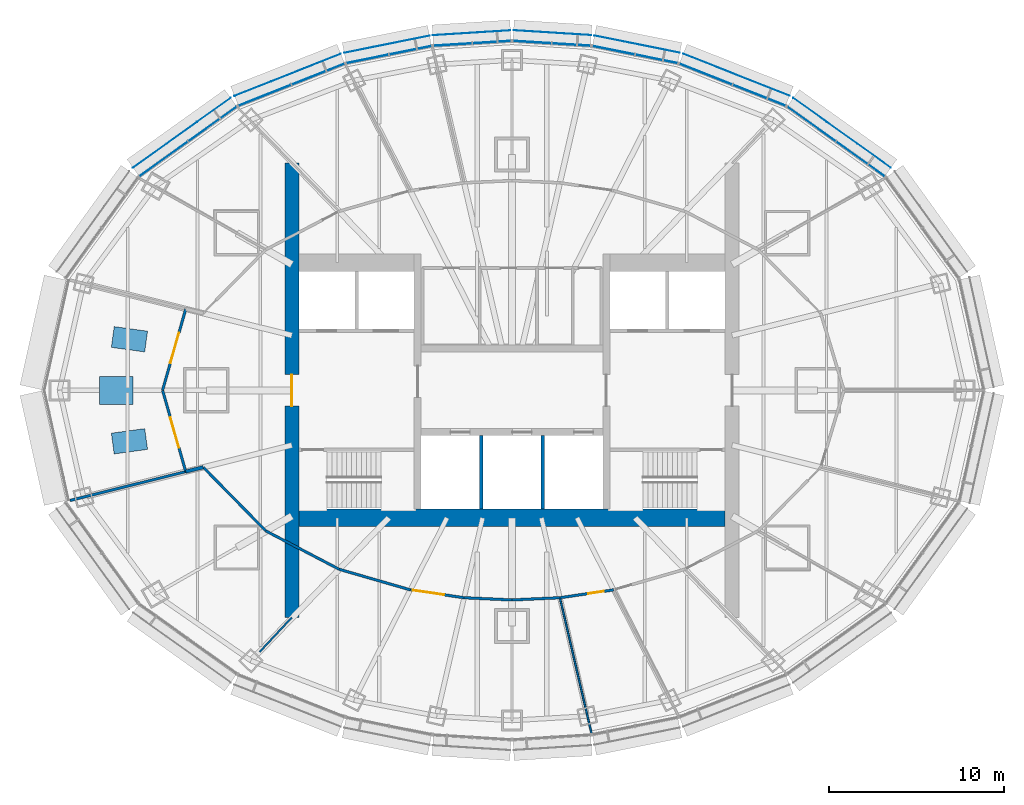
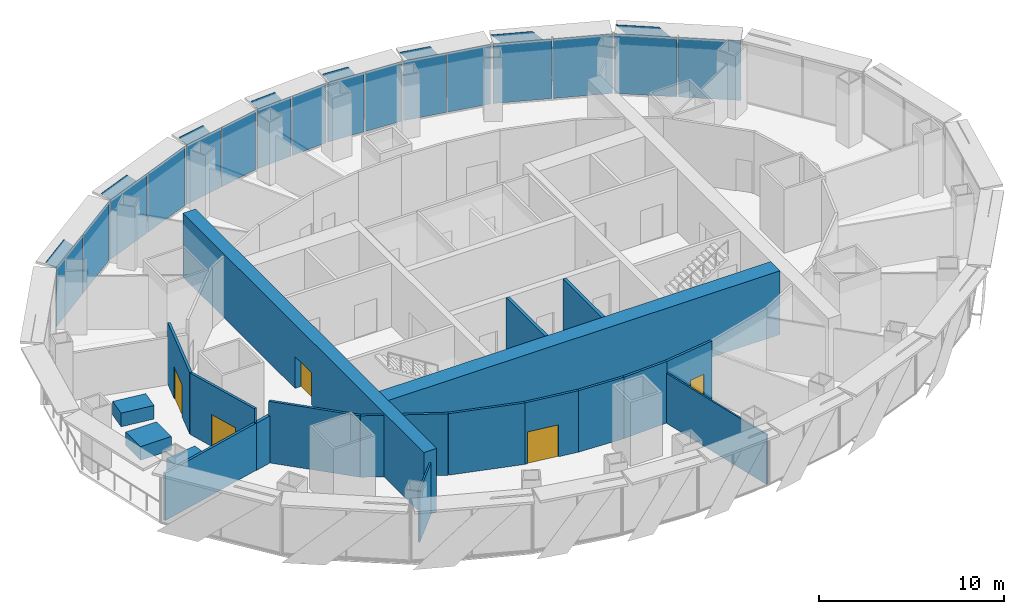
# One storey, part 11 of 16: 24 plates, 20 walls, 5 doors, 5 openings, 8 elements without a shape of their own.
"""IFC4 building model written with IfcOpenShell, lengths in metres."""

from ifc_helpers import new_model, si_unit, direction, frame, frame_2d, origin, origin_2d, place, context, subcontext, project, spatial, polyline, rectangle, outline, extrude, material, layer, layer_set, type_object, element, fill, aggregate, save


model = new_model("IFC4")

# Units and contexts
model_context = context("Model", 3, precision=1e-05, world=origin(), true_north=direction((0.0, 1.0)))
body_context = subcontext(model_context, "Body", "Model", "MODEL_VIEW")
ifc_project = project(units=[si_unit("LENGTHUNIT", "METRE"), si_unit("AREAUNIT", "SQUARE_METRE"), si_unit("VOLUMEUNIT", "CUBIC_METRE"), si_unit("PLANEANGLEUNIT", "RADIAN"), si_unit("MASSUNIT", "GRAM", prefix="KILO")], contexts=[model_context])

# Site, building, storey
site_placement = place(None, origin())
site = spatial("IfcSite", under=ifc_project, at=site_placement, CompositionType="ELEMENT")
building_placement = place(site_placement, origin())
building = spatial("IfcBuilding", under=site, at=building_placement, Name="Lantaw Convention Tower", CompositionType="ELEMENT")
storey_placement = place(building_placement, frame((0.0, 0.0, 232.60009765625)))
storey = spatial("IfcBuildingStorey", under=building, at=storey_placement, Name="L54", CompositionType="ELEMENT", Elevation=232.60009765625)

# Curtain wall, plates
ifc_material_1 = material(Name="Aluminium framed curtain wall", Category="aluminium")
curtain_wall_type = type_object("IfcCurtainWallType", Name="Office curtain wall high rise, pale aluminium", PredefinedType="USERDEFINED", material=ifc_material_1)
curtain_wall_1_placement = place(storey_placement, origin())
curtain_wall_1 = element("IfcCurtainWall", 1, at=curtain_wall_1_placement, inside=storey, type_object=curtain_wall_type, Name="Office curtain wall high rise, pale aluminium L54", ObjectType="UNITISED CURTAIN WALL", PredefinedType="USERDEFINED")
ifc_material_2 = material(Name="Clear insulating glass", Category="glass")
ifc_layer_1 = layer(ifc_material_2, 0.028076171875)
ifc_layer_set_1 = layer_set([ifc_layer_1], Name="CW-O2 panel 28")
plate_type_1 = type_object("IfcPlateType", Name="CW-O2 panel 28", PredefinedType="CURTAIN_PANEL", material=ifc_layer_set_1)
plate_1_placement = place(storey_placement, frame((19.947509765625, 13.23828125, 0.06494140625), z_axis=(0.0, 0.0, 1.0), x_axis=(-0.813672540482, 0.581323487281, 0.0)))
plate_1 = element("IfcPlate", 2, at=plate_1_placement, type_object=plate_type_1, Name="CW-O2 panel 1.1", PredefinedType="CURTAIN_PANEL", context=body_context, shape_type="SweptSolid", body=[
    extrude(rectangle(XDim=3.386474609375, YDim=0.028076171875, at=origin_2d()), origin(), (0.0, 0.0, 1.0), 3.919921875),
])
plate_2_placement = place(storey_placement, frame((17.13916015625, 15.24462890625, 0.06494140625), z_axis=(0.0, 0.0, 1.0), x_axis=(-0.813672540482, 0.581323487281, 0.0)))
plate_2 = element("IfcPlate", 3, at=plate_2_placement, type_object=plate_type_1, Name="CW-O2 panel 2.1", PredefinedType="CURTAIN_PANEL", context=body_context, shape_type="SweptSolid", body=[
    extrude(rectangle(XDim=3.386474609375, YDim=0.028076171875, at=origin_2d()), origin(), (0.0, 0.0, 1.0), 3.919921875),
])
aggregate(curtain_wall_1, [plate_1, plate_2])

curtain_wall_2_placement = place(storey_placement, origin())
curtain_wall_2 = element("IfcCurtainWall", 4, at=curtain_wall_2_placement, inside=storey, type_object=curtain_wall_type, Name="Office curtain wall high rise, pale aluminium L54", ObjectType="UNITISED CURTAIN WALL", PredefinedType="USERDEFINED")
plate_3_placement = place(storey_placement, frame((14.14990234375, 16.8837890625, 0.06494140625), z_axis=(0.0, 0.0, 1.0), x_axis=(-0.929761533743, 0.368162315252, 0.0)))
plate_3 = element("IfcPlate", 5, at=plate_3_placement, type_object=plate_type_1, Name="CW-O2 panel 1.1", PredefinedType="CURTAIN_PANEL", context=body_context, shape_type="SweptSolid", body=[
    extrude(rectangle(XDim=3.222900390625, YDim=0.028076171875, at=origin_2d()), origin(), (0.0, 0.0, 1.0), 3.919921875),
])
plate_4_placement = place(storey_placement, frame((11.0927734375, 18.094482421875, 0.06494140625), z_axis=(0.0, 0.0, 1.0), x_axis=(-0.929761533743, 0.368162315252, 0.0)))
plate_4 = element("IfcPlate", 6, at=plate_4_placement, type_object=plate_type_1, Name="CW-O2 panel 2.1", PredefinedType="CURTAIN_PANEL", context=body_context, shape_type="SweptSolid", body=[
    extrude(rectangle(XDim=3.222900390625, YDim=0.028076171875, at=origin_2d()), origin(), (0.0, 0.0, 1.0), 3.919921875),
])
aggregate(curtain_wall_2, [plate_3, plate_4])

curtain_wall_3_placement = place(storey_placement, origin())
curtain_wall_3 = element("IfcCurtainWall", 7, at=curtain_wall_3_placement, inside=storey, type_object=curtain_wall_type, Name="Office curtain wall high rise, pale aluminium L54", ObjectType="UNITISED CURTAIN WALL", PredefinedType="USERDEFINED")
plate_5_placement = place(storey_placement, frame((8.2724609375, 18.96533203125, 0.06494140625), z_axis=(0.0, 0.0, 1.0), x_axis=(-0.980366679695, 0.197183095987, 0.0)))
plate_5 = element("IfcPlate", 8, at=plate_5_placement, type_object=plate_type_1, Name="CW-O2 panel 1.1", PredefinedType="CURTAIN_PANEL", context=body_context, shape_type="SweptSolid", body=[
    extrude(rectangle(XDim=2.44384765625, YDim=0.028076171875, at=origin_2d()), origin(), (0.0, 0.0, 1.0), 3.919921875),
])
plate_6_placement = place(storey_placement, frame((5.81298828125, 19.4599609375, 0.06494140625), z_axis=(0.0, 0.0, 1.0), x_axis=(-0.980366679695, 0.197183095987, 0.0)))
plate_6 = element("IfcPlate", 9, at=plate_6_placement, type_object=plate_type_1, Name="CW-O2 panel 2.1", PredefinedType="CURTAIN_PANEL", context=body_context, shape_type="SweptSolid", body=[
    extrude(rectangle(XDim=2.44384765625, YDim=0.028076171875, at=origin_2d()), origin(), (0.0, 0.0, 1.0), 3.919921875),
])
aggregate(curtain_wall_3, [plate_5, plate_6])

curtain_wall_4_placement = place(storey_placement, origin())
curtain_wall_4 = element("IfcCurtainWall", 10, at=curtain_wall_4_placement, inside=storey, type_object=curtain_wall_type, Name="Office curtain wall high rise, pale aluminium L54", ObjectType="UNITISED CURTAIN WALL", PredefinedType="USERDEFINED")
plate_7_placement = place(storey_placement, frame((3.397216796875, 19.786376953125, 0.06494140625), z_axis=(0.0, 0.0, 1.0), x_axis=(-0.998028774865, 0.062757983884, 0.0)))
plate_7 = element("IfcPlate", 11, at=plate_7_placement, type_object=plate_type_1, Name="CW-O2 panel 1.1", PredefinedType="CURTAIN_PANEL", context=body_context, shape_type="SweptSolid", body=[
    extrude(rectangle(XDim=2.1826171875, YDim=0.028076171875, at=origin_2d()), origin(), (0.0, 0.0, 1.0), 3.919921875),
])
plate_8_placement = place(storey_placement, frame((1.154052734375, 19.927490234375, 0.06494140625), z_axis=(0.0, 0.0, 1.0), x_axis=(-0.998028774865, 0.062757983884, 0.0)))
plate_8 = element("IfcPlate", 12, at=plate_8_placement, type_object=plate_type_1, Name="CW-O2 panel 2.1", PredefinedType="CURTAIN_PANEL", context=body_context, shape_type="SweptSolid", body=[
    extrude(rectangle(XDim=2.1826171875, YDim=0.028076171875, at=origin_2d()), origin(), (0.0, 0.0, 1.0), 3.919921875),
])
aggregate(curtain_wall_4, [plate_7, plate_8])

curtain_wall_5_placement = place(storey_placement, origin())
curtain_wall_5 = element("IfcCurtainWall", 13, at=curtain_wall_5_placement, inside=storey, type_object=curtain_wall_type, Name="Office curtain wall high rise, pale aluminium L54", ObjectType="UNITISED CURTAIN WALL", PredefinedType="USERDEFINED")
plate_9_placement = place(storey_placement, frame((-1.154052734375, 19.927490234375, 0.06494140625), z_axis=(0.0, 0.0, 1.0), x_axis=(-0.998028774865, -0.062757983884, 0.0)))
plate_9 = element("IfcPlate", 14, at=plate_9_placement, type_object=plate_type_1, Name="CW-O2 panel 1.1", PredefinedType="CURTAIN_PANEL", context=body_context, shape_type="SweptSolid", body=[
    extrude(rectangle(XDim=2.1826171875, YDim=0.028076171875, at=origin_2d()), origin(), (0.0, 0.0, 1.0), 3.919921875),
])
plate_10_placement = place(storey_placement, frame((-3.397216796875, 19.786376953125, 0.06494140625), z_axis=(0.0, 0.0, 1.0), x_axis=(-0.998028774865, -0.062757983884, 0.0)))
plate_10 = element("IfcPlate", 15, at=plate_10_placement, type_object=plate_type_1, Name="CW-O2 panel 2.1", PredefinedType="CURTAIN_PANEL", context=body_context, shape_type="SweptSolid", body=[
    extrude(rectangle(XDim=2.1826171875, YDim=0.028076171875, at=origin_2d()), origin(), (0.0, 0.0, 1.0), 3.919921875),
])
aggregate(curtain_wall_5, [plate_9, plate_10])

curtain_wall_6_placement = place(storey_placement, origin())
curtain_wall_6 = element("IfcCurtainWall", 16, at=curtain_wall_6_placement, inside=storey, type_object=curtain_wall_type, Name="Office curtain wall high rise, pale aluminium L54", ObjectType="UNITISED CURTAIN WALL", PredefinedType="USERDEFINED")
plate_11_placement = place(storey_placement, frame((-5.81298828125, 19.4599609375, 0.06494140625), z_axis=(0.0, 0.0, 1.0), x_axis=(-0.980366679695, -0.197183095987, 0.0)))
plate_11 = element("IfcPlate", 17, at=plate_11_placement, type_object=plate_type_1, Name="CW-O2 panel 1.1", PredefinedType="CURTAIN_PANEL", context=body_context, shape_type="SweptSolid", body=[
    extrude(rectangle(XDim=2.44384765625, YDim=0.028076171875, at=origin_2d()), origin(), (0.0, 0.0, 1.0), 3.919921875),
])
plate_12_placement = place(storey_placement, frame((-8.2724609375, 18.96533203125, 0.06494140625), z_axis=(0.0, 0.0, 1.0), x_axis=(-0.980366679695, -0.197183095987, 0.0)))
plate_12 = element("IfcPlate", 18, at=plate_12_placement, type_object=plate_type_1, Name="CW-O2 panel 2.1", PredefinedType="CURTAIN_PANEL", context=body_context, shape_type="SweptSolid", body=[
    extrude(rectangle(XDim=2.44384765625, YDim=0.028076171875, at=origin_2d()), origin(), (0.0, 0.0, 1.0), 3.919921875),
])
aggregate(curtain_wall_6, [plate_11, plate_12])

curtain_wall_7_placement = place(storey_placement, origin())
curtain_wall_7 = element("IfcCurtainWall", 19, at=curtain_wall_7_placement, inside=storey, type_object=curtain_wall_type, Name="Office curtain wall high rise, pale aluminium L54", ObjectType="UNITISED CURTAIN WALL", PredefinedType="USERDEFINED")
plate_13_placement = place(storey_placement, frame((-11.0927734375, 18.094482421875, 0.06494140625), z_axis=(0.0, 0.0, 1.0), x_axis=(-0.929761533743, -0.368162315252, 0.0)))
plate_13 = element("IfcPlate", 20, at=plate_13_placement, type_object=plate_type_1, Name="CW-O2 panel 1.1", PredefinedType="CURTAIN_PANEL", context=body_context, shape_type="SweptSolid", body=[
    extrude(rectangle(XDim=3.222900390625, YDim=0.028076171875, at=origin_2d()), origin(), (0.0, 0.0, 1.0), 3.919921875),
])
plate_14_placement = place(storey_placement, frame((-14.14990234375, 16.8837890625, 0.06494140625), z_axis=(0.0, 0.0, 1.0), x_axis=(-0.929761533743, -0.368162315252, 0.0)))
plate_14 = element("IfcPlate", 21, at=plate_14_placement, type_object=plate_type_1, Name="CW-O2 panel 2.1", PredefinedType="CURTAIN_PANEL", context=body_context, shape_type="SweptSolid", body=[
    extrude(rectangle(XDim=3.222900390625, YDim=0.028076171875, at=origin_2d()), origin(), (0.0, 0.0, 1.0), 3.919921875),
])
aggregate(curtain_wall_7, [plate_13, plate_14])

curtain_wall_8_placement = place(storey_placement, origin())
curtain_wall_8 = element("IfcCurtainWall", 22, at=curtain_wall_8_placement, inside=storey, type_object=curtain_wall_type, Name="Office curtain wall high rise, pale aluminium L54", ObjectType="UNITISED CURTAIN WALL", PredefinedType="USERDEFINED")
plate_15_placement = place(storey_placement, frame((-17.13916015625, 15.24462890625, 0.06494140625), z_axis=(0.0, 0.0, 1.0), x_axis=(-0.813672540482, -0.581323487281, 0.0)))
plate_15 = element("IfcPlate", 23, at=plate_15_placement, type_object=plate_type_1, Name="CW-O2 panel 1.1", PredefinedType="CURTAIN_PANEL", context=body_context, shape_type="SweptSolid", body=[
    extrude(rectangle(XDim=3.386474609375, YDim=0.028076171875, at=origin_2d()), origin(), (0.0, 0.0, 1.0), 3.919921875),
])
plate_16_placement = place(storey_placement, frame((-19.947509765625, 13.23828125, 0.06494140625), z_axis=(0.0, 0.0, 1.0), x_axis=(-0.813672540482, -0.581323487281, 0.0)))
plate_16 = element("IfcPlate", 24, at=plate_16_placement, type_object=plate_type_1, Name="CW-O2 panel 2.1", PredefinedType="CURTAIN_PANEL", context=body_context, shape_type="SweptSolid", body=[
    extrude(rectangle(XDim=3.386474609375, YDim=0.028076171875, at=origin_2d()), origin(), (0.0, 0.0, 1.0), 3.919921875),
])
aggregate(curtain_wall_8, [plate_15, plate_16])

# Plates
ifc_material_3 = material(Name="Perforated aluminium sheet, pale silver finish", Category="aluminium")
ifc_layer_2 = layer(ifc_material_3, 0.006103515625)
ifc_layer_set_2 = layer_set([ifc_layer_2], Name="Perforated aluminium solar SCREEN panel")
plate_type_2 = type_object("IfcPlateType", Name="Perforated aluminium solar SCREEN panel", PredefinedType="SHEET", material=ifc_layer_set_2)
plate_17_placement = place(storey_placement, frame((21.689697265625, 12.73828125, -0.175048828125), z_axis=(0.581330799771, 0.813667316006, 1.0072981e-05), x_axis=(-0.813667316047, 0.5813307998, 3.02e-10)))
element("IfcPlate", 25, at=plate_17_placement, inside=storey, type_object=plate_type_2, Name="Solar SCREEN panel", PredefinedType="SHEET", context=body_context, shape_type="SweptSolid", body=[
    extrude(outline(polyline([(0.0, 0.0), (2.36914164286685, -1.6940658945086007e-21), (6.867806096558412, 4.339843748148034), (4.498863102938643, 4.3398437495775966), (0.0, 0.0)])), origin(), (0.0, 0.0, -1.0), 0.006103515625),
])
plate_18_placement = place(storey_placement, frame((15.88525390625, 16.8486328125, -0.175048828125), z_axis=(-0.368116612072, -0.929779629081, 3.5535267e-05), x_axis=(-0.929779629668, 0.368116612304, -1.786e-09)))
element("IfcPlate", 26, at=plate_18_placement, inside=storey, type_object=plate_type_2, Name="Solar SCREEN panel", PredefinedType="SHEET", context=body_context, shape_type="SweptSolid", body=[
    extrude(outline(polyline([(0.0, 0.0), (2.2578720663572183, -6.776263578034403e-21), (6.540904465438181, -4.339843764423989), (4.282942526861161, -4.33984375635743), (0.0, 0.0)])), origin(), (0.0, 0.0, -1.0), 0.006103515625),
])
plate_19_placement = place(storey_placement, frame((9.6044921875, 19.315673828125, -0.175048828125), z_axis=(-0.197162069853, -0.980370908428, 1.0904697e-05), x_axis=(-0.980370908486, 0.197162069865, -7.55e-10)))
element("IfcPlate", 27, at=plate_19_placement, inside=storey, type_object=plate_type_2, Name="Solar SCREEN panel", PredefinedType="SHEET", context=body_context, shape_type="SweptSolid", body=[
    extrude(outline(polyline([(0.0, 0.0), (1.7279870169553606, 0.0), (4.982578440602753, -4.339843754020975), (3.2545432883764285, -4.339843751410917), (0.0, 0.0)])), origin(), (0.0, 0.0, -1.0), 0.006103515625),
])
plate_20_placement = place(storey_placement, frame((4.539306640625, 20.32177734375, -0.175048828125), z_axis=(-0.062672387577, -0.998034151922, 5.8589976e-05), x_axis=(-0.998034153635, 0.062672387685, 0.0)))
element("IfcPlate", 28, at=plate_20_placement, inside=storey, type_object=plate_type_2, Name="Solar SCREEN panel", PredefinedType="SHEET", context=body_context, shape_type="SweptSolid", body=[
    extrude(outline(polyline([(0.0, 0.0), (1.5504111513762302, 8.470329472543003e-22), (4.460200019412434, -4.339843757448876), (2.9097888680362036, -4.339843757448876), (0.0, 0.0)])), origin(), (0.0, 0.0, -1.0), 0.006103515625),
])
plate_21_placement = place(storey_placement, frame((-0.087890625, 20.6015625, -0.175048828125), z_axis=(-0.062672387577, 0.998034151922, 5.8589976e-05), x_axis=(-0.998034153635, -0.062672387685, 0.0)))
element("IfcPlate", 29, at=plate_21_placement, inside=storey, type_object=plate_type_2, Name="Solar SCREEN panel", PredefinedType="SHEET", context=body_context, shape_type="SweptSolid", body=[
    extrude(outline(polyline([(0.0, 0.0), (1.5504111513762302, -8.470329472543003e-22), (4.460200019412434, 4.339843757448876), (2.9097888680362036, 4.339843757448876), (0.0, 0.0)])), origin(), (0.0, 0.0, -1.0), 0.006103515625),
])
plate_22_placement = place(storey_placement, frame((-4.7197265625, 20.298095703125, -0.175048828125), z_axis=(-0.197162069853, 0.980370908428, 1.0904697e-05), x_axis=(-0.980370908486, -0.197162069865, 7.55e-10)))
element("IfcPlate", 30, at=plate_22_placement, inside=storey, type_object=plate_type_2, Name="Solar SCREEN panel", PredefinedType="SHEET", context=body_context, shape_type="SweptSolid", body=[
    extrude(outline(polyline([(0.0, 0.0), (1.7280351522263238, 0.0), (4.982578447157737, 4.339843746495192), (3.2545914302023755, 4.339843749105177), (0.0, 0.0)])), origin(), (0.0, 0.0, -1.0), 0.006103515625),
])
plate_23_placement = place(storey_placement, frame((-9.8037109375, 19.256591796875, -0.175048828125), z_axis=(-0.368116612072, 0.929779629081, 3.5535267e-05), x_axis=(-0.929779629668, -0.368116612304, 1.786e-09)))
element("IfcPlate", 31, at=plate_23_placement, inside=storey, type_object=plate_type_2, Name="Solar SCREEN panel", PredefinedType="SHEET", context=body_context, shape_type="SweptSolid", body=[
    extrude(outline(polyline([(0.0, 0.0), (2.257961938577019, 6.776263578034403e-21), (6.540904480942253, 4.339843741056637), (4.283032414585034, 4.339843749122875), (0.0, 0.0)])), origin(), (0.0, 0.0, -1.0), 0.006103515625),
])
plate_24_placement = place(storey_placement, frame((-16.1015625, 16.730712890625, -0.175048828125), z_axis=(0.581330799771, -0.813667316006, 1.0072981e-05), x_axis=(-0.813667316047, -0.5813307998, -3.02e-10)))
element("IfcPlate", 32, at=plate_24_placement, inside=storey, type_object=plate_type_2, Name="Solar SCREEN panel", PredefinedType="SHEET", context=body_context, shape_type="SweptSolid", body=[
    extrude(outline(polyline([(0.0, 0.0), (2.3689429936197683, -1.6940658945086007e-21), (6.867806093939489, -4.339843752292481), (4.498664451072639, -4.339843750862799), (0.0, 0.0)])), origin(), (0.0, 0.0, -1.0), 0.006103515625),
])

# Wall
ifc_material_4 = material(Name="Concrete C60/75", Category="concrete")
ifc_layer_3 = layer(ifc_material_4, 1.0)
ifc_layer_set_3 = layer_set([ifc_layer_3], Name="Core wall 1000")
wall_type_1 = type_object("IfcWallType", Name="Core wall 1000", PredefinedType="SHEAR", material=ifc_layer_set_3)
wall_1_placement = place(storey_placement, frame((-12.199951171875, -7.300048828125, 0.0), z_axis=(0.0, 0.0, 1.0), x_axis=(1.0, 0.0, 0.0)))
element("IfcWall", 33, at=wall_1_placement, inside=storey, type_object=wall_type_1, Name="Core wall S", PredefinedType="SHEAR", context=body_context, shape_type="SweptSolid", body=[
    extrude(rectangle(XDim=24.39990234375, YDim=1.0, at=frame_2d((12.199951171875, 0.0))), origin(), (0.0, 0.0, 1.0), 4.199951171875),
])

# Wall, opening, door
ifc_layer_4 = layer(ifc_material_4, 0.800048828125)
ifc_layer_set_4 = layer_set([ifc_layer_4], Name="Core wall 800")
wall_type_2 = type_object("IfcWallType", Name="Core wall 800", PredefinedType="SHEAR", material=ifc_layer_set_4)
wall_2_placement = place(storey_placement, frame((-12.60009765625, 13.0, 0.0), z_axis=(0.0, 0.0, 1.0), x_axis=(0.0, -1.0, 0.0)))
wall_2 = element("IfcWall", 34, at=wall_2_placement, inside=storey, type_object=wall_type_2, Name="Core wall W", PredefinedType="SHEAR", context=body_context, shape_type="SweptSolid", body=[
    extrude(rectangle(XDim=26.0, YDim=0.800048828125, at=frame_2d((13.0, 0.0))), origin(), (0.0, 0.0, 1.0), 4.199951171875),
])
opening_1_placement = place(wall_2_placement, frame((12.10009765625, 0.0, 0.0)))
opening_1 = element("IfcOpeningElement", 35, at=opening_1_placement, cuts=wall_2, Name="Opening L54.06", PredefinedType="OPENING", context=body_context, shape_type="SweptSolid", body=[
    extrude(rectangle(XDim=1.800048828125, YDim=2.10009765625, at=frame_2d((0.89990234375, 1.050048828125))), frame((0.0, 0.409912109375, 0.0), z_axis=(0.0, -1.0, 0.0), x_axis=(1.0, 0.0, 0.0)), (0.0, 0.0, 1.0), 0.820068359375),
])
ifc_material_5 = material(Name="Steel, fire rated", Category="steel")
door_type_1 = type_object("IfcDoorType", Name="Lobby double door FD90", OperationType="DOUBLE_DOOR_DOUBLE_SWING", PredefinedType="DOOR", material=ifc_material_5)
door_1_placement = place(opening_1_placement, origin())
door_1 = element("IfcDoor", 36, at=door_1_placement, inside=storey, type_object=door_type_1, Name="Firefighting lobby door", OperationType="DOUBLE_DOOR_DOUBLE_SWING", OverallHeight=2.10009765625, OverallWidth=1.800048828125, PredefinedType="DOOR", context=body_context, shape_type="SweptSolid", body=[
    extrude(rectangle(XDim=1.800048828125, YDim=2.10009765625, at=frame_2d((0.89990234375, 1.050048828125))), frame((0.0, 0.02490234375, 0.0), z_axis=(0.0, -1.0, 0.0), x_axis=(1.0, 0.0, 0.0)), (0.0, 0.0, 1.0), 0.050048828125),
])
fill(opening_1, door_1)

# Walls
ifc_material_6 = material(Name="Gypsum board on steel studs, fire rated", Category="steel")
ifc_layer_5 = layer(ifc_material_6, 0.14990234375)
ifc_layer_set_5 = layer_set([ifc_layer_5], Name="Corridor wall 150 EI 60")
wall_type_3 = type_object("IfcWallType", Name="Corridor wall 150 EI 60", PredefinedType="PARTITIONING", material=ifc_layer_set_5)
wall_3_placement = place(storey_placement, frame((-17.6728515625, -4.40625, 0.0), z_axis=(0.0, 0.0, 1.0), x_axis=(0.701111216625, -0.713051934941, 0.0)))
element("IfcWall", 37, at=wall_3_placement, inside=storey, type_object=wall_type_3, Name="Corridor wall 150", PredefinedType="PARTITIONING", context=body_context, shape_type="SweptSolid", body=[
    extrude(rectangle(XDim=5.111572265625, YDim=0.14990234375, at=frame_2d((2.5556640625, 0.0))), origin(), (0.0, 0.0, 1.0), 4.0498046875),
])
wall_4_placement = place(storey_placement, frame((-14.089111328125, -8.051025390625, 0.0), z_axis=(0.0, 0.0, 1.0), x_axis=(0.886174439647, -0.463351769735, 0.0)))
element("IfcWall", 38, at=wall_4_placement, inside=storey, type_object=wall_type_3, Name="Corridor wall 150", PredefinedType="PARTITIONING", context=body_context, shape_type="SweptSolid", body=[
    extrude(rectangle(XDim=4.734619140625, YDim=0.14990234375, at=frame_2d((2.3671875, 0.0))), origin(), (0.0, 0.0, 1.0), 4.0498046875),
])
wall_5_placement = place(storey_placement, frame((-9.893310546875, -10.244873046875, 0.0), z_axis=(0.0, 0.0, 1.0), x_axis=(0.960614838378, -0.27788330696, 0.0)))
element("IfcWall", 39, at=wall_5_placement, inside=storey, type_object=wall_type_3, Name="Corridor wall 150", PredefinedType="PARTITIONING", context=body_context, shape_type="SweptSolid", body=[
    extrude(rectangle(XDim=4.239990234375, YDim=0.14990234375, at=frame_2d((2.1201171875, 0.0))), origin(), (0.0, 0.0, 1.0), 4.0498046875),
])

# Wall, opening, door
wall_6_placement = place(storey_placement, frame((-5.8203125, -11.423095703125, 0.0), z_axis=(0.0, 0.0, 1.0), x_axis=(0.989421822189, -0.145067080265, 0.0)))
wall_6 = element("IfcWall", 40, at=wall_6_placement, inside=storey, type_object=wall_type_3, Name="Corridor wall 150", PredefinedType="PARTITIONING", context=body_context, shape_type="SweptSolid", body=[
    extrude(rectangle(XDim=3.11181640625, YDim=0.14990234375, at=frame_2d((1.555908203125, 0.0))), origin(), (0.0, 0.0, 1.0), 4.0498046875),
])
opening_2_placement = place(wall_6_placement, frame((0.14990234375, 0.0, 0.0)))
opening_2 = element("IfcOpeningElement", 41, at=opening_2_placement, cuts=wall_6, Name="Opening L54.18", PredefinedType="OPENING", context=body_context, shape_type="SweptSolid", body=[
    extrude(rectangle(XDim=1.800048828125, YDim=2.10009765625, at=frame_2d((0.89990234375, 1.050048828125))), frame((0.0, 0.0849609375, 0.0), z_axis=(0.0, -1.0, 0.0), x_axis=(1.0, 0.0, 0.0)), (0.0, 0.0, 1.0), 0.169921875),
])
door_type_2 = type_object("IfcDoorType", Name="Office double door 1800 FD30", OperationType="DOUBLE_DOOR_DOUBLE_SWING", PredefinedType="DOOR", material=ifc_material_5)
door_2_placement = place(opening_2_placement, origin())
door_2 = element("IfcDoor", 42, at=door_2_placement, inside=storey, type_object=door_type_2, Name="Garden studio door", OperationType="DOUBLE_DOOR_DOUBLE_SWING", OverallHeight=2.10009765625, OverallWidth=1.800048828125, PredefinedType="DOOR", context=body_context, shape_type="SweptSolid", body=[
    extrude(rectangle(XDim=1.800048828125, YDim=2.10009765625, at=frame_2d((0.89990234375, 1.050048828125))), frame((0.0, 0.02490234375, 0.0), z_axis=(0.0, -1.0, 0.0), x_axis=(1.0, 0.0, 0.0)), (0.0, 0.0, 1.0), 0.050048828125),
])
fill(opening_2, door_2)

# Walls
for number, where, z_axis, x_axis, name in (
    (43, (-2.741455078125, -11.87451171875, 0.0), (0.0, 0.0, 1.0), (0.998953998629, -0.045726454297, 0.0), "Corridor wall 150"),
    (44, (0.0, -12.0, 0.0), (0.0, 0.0, 1.0), (0.998953998629, 0.045726454297, 0.0), "Corridor wall 150"),
):
    element("IfcWall", number, at=place(storey_placement, frame(where, z_axis=z_axis, x_axis=x_axis)), inside=storey, type_object=wall_type_3, Name=name, PredefinedType="PARTITIONING", context=body_context, shape_type="SweptSolid", body=[
        extrude(rectangle(XDim=2.744384765625, YDim=0.14990234375, at=frame_2d((1.3720703125, 0.0))), origin(), (0.0, 0.0, 1.0), 4.0498046875),
    ])

# Wall, opening, door
wall_7_placement = place(storey_placement, frame((2.741455078125, -11.87451171875, 0.0), z_axis=(0.0, 0.0, 1.0), x_axis=(0.989421822189, 0.145067080265, 0.0)))
wall_7 = element("IfcWall", 45, at=wall_7_placement, inside=storey, type_object=wall_type_3, Name="Corridor wall 150", PredefinedType="PARTITIONING", context=body_context, shape_type="SweptSolid", body=[
    extrude(rectangle(XDim=3.11181640625, YDim=0.14990234375, at=frame_2d((1.555908203125, 0.0))), origin(), (0.0, 0.0, 1.0), 4.0498046875),
])
opening_3_placement = place(wall_7_placement, frame((1.636962890625, 0.0, 0.0)))
opening_3 = element("IfcOpeningElement", 46, at=opening_3_placement, cuts=wall_7, Name="Opening L54.19", PredefinedType="OPENING", context=body_context, shape_type="SweptSolid", body=[
    extrude(rectangle(XDim=0.89990234375, YDim=2.10009765625, at=frame_2d((0.449951171875, 1.050048828125))), frame((0.0, 0.0849609375, 0.0), z_axis=(0.0, -1.0, 0.0), x_axis=(1.0, 0.0, 0.0)), (0.0, 0.0, 1.0), 0.169921875),
])
door_type_3 = type_object("IfcDoorType", Name="Office door 900 FD30", OperationType="SINGLE_SWING_LEFT", PredefinedType="DOOR", material=ifc_material_5)
door_3_placement = place(opening_3_placement, origin())
door_3 = element("IfcDoor", 47, at=door_3_placement, inside=storey, type_object=door_type_3, Name="Pantry door", OperationType="SINGLE_SWING_LEFT", OverallHeight=2.10009765625, OverallWidth=0.89990234375, PredefinedType="DOOR", context=body_context, shape_type="SweptSolid", body=[
    extrude(rectangle(XDim=0.89990234375, YDim=2.10009765625, at=frame_2d((0.449951171875, 1.050048828125))), frame((0.0, 0.02490234375, 0.0), z_axis=(0.0, -1.0, 0.0), x_axis=(1.0, 0.0, 0.0)), (0.0, 0.0, 1.0), 0.050048828125),
])
fill(opening_3, door_3)

# Walls
ifc_material_7 = material(Name="Insulated aluminium panel on steel frame", Category="steel")
ifc_layer_6 = layer(ifc_material_7, 0.199951171875)
ifc_layer_set_6 = layer_set([ifc_layer_6], Name="External wall 200")
wall_type_4 = type_object("IfcWallType", Name="External wall 200", PredefinedType="SOLIDWALL", material=ifc_layer_set_6)
wall_8_placement = place(storey_placement, frame((-18.67333984375, -4.65576171875, 0.0), z_axis=(0.0, 0.0, 1.0), x_axis=(0.970281616392, 0.241978480223, 0.0)))
element("IfcWall", 48, at=wall_8_placement, inside=storey, type_object=wall_type_4, Name="External wall 200", PredefinedType="SOLIDWALL", context=body_context, shape_type="SweptSolid", body=[
    extrude(rectangle(XDim=1.03125, YDim=0.199951171875, at=frame_2d((0.515625, 0.0))), origin(), (0.0, 0.0, 1.0), 3.107666015625),
])
ifc_material_8 = material(Name="Aluminium framed glazing", Category="aluminium")
ifc_layer_7 = layer(ifc_material_8, 0.14990234375)
ifc_layer_set_7 = layer_set([ifc_layer_7], Name="Glazed garden screen 150")
wall_type_5 = type_object("IfcWallType", Name="Glazed garden screen 150", PredefinedType="ELEMENTEDWALL", material=ifc_layer_set_7)
wall_9_placement = place(storey_placement, frame((-18.67333984375, -4.65576171875, 0.0), z_axis=(0.0, 0.0, 1.0), x_axis=(-0.970293751158, -0.241929817229, 0.0)))
element("IfcWall", 49, at=wall_9_placement, inside=storey, type_object=wall_type_5, Name="Glazed garden screen", PredefinedType="ELEMENTEDWALL", context=body_context, shape_type="SweptSolid", body=[
    extrude(rectangle(XDim=6.827880859375, YDim=0.14990234375, at=frame_2d((3.4140625, 0.0))), origin(), (0.0, 0.0, 1.0), 3.107666015625),
])

# Wall, opening, door
wall_10_placement = place(storey_placement, frame((-18.67333984375, 4.65576171875, 0.0), z_axis=(0.0, 0.0, 1.0), x_axis=(-0.274041669067, -0.961717819121, 0.0)))
wall_10 = element("IfcWall", 50, at=wall_10_placement, inside=storey, type_object=wall_type_5, Name="Glazed garden screen 150", PredefinedType="ELEMENTEDWALL", context=body_context, shape_type="SweptSolid", body=[
    extrude(rectangle(XDim=4.841064453125, YDim=0.14990234375, at=frame_2d((2.42041015625, 0.0))), origin(), (0.0, 0.0, 1.0), 4.0498046875),
])
opening_4_placement = place(wall_10_placement, frame((1.420654296875, 0.0, 0.0)))
opening_4 = element("IfcOpeningElement", 51, at=opening_4_placement, cuts=wall_10, Name="Opening L54.30", PredefinedType="OPENING", context=body_context, shape_type="SweptSolid", body=[
    extrude(rectangle(XDim=1.800048828125, YDim=2.10009765625, at=frame_2d((0.89990234375, 1.050048828125))), frame((0.0, 0.0849609375, 0.0), z_axis=(0.0, -1.0, 0.0), x_axis=(1.0, 0.0, 0.0)), (0.0, 0.0, 1.0), 0.169921875),
])
ifc_material_9 = material(Name="Aluminium and glass", Category="aluminium")
door_type_4 = type_object("IfcDoorType", Name="Garden door 1800", OperationType="DOUBLE_DOOR_DOUBLE_SWING", PredefinedType="DOOR", material=ifc_material_9)
door_4_placement = place(opening_4_placement, origin())
door_4 = element("IfcDoor", 52, at=door_4_placement, inside=storey, type_object=door_type_4, Name="Sky garden door", OperationType="DOUBLE_DOOR_DOUBLE_SWING", OverallHeight=2.10009765625, OverallWidth=1.800048828125, PredefinedType="DOOR", context=body_context, shape_type="SweptSolid", body=[
    extrude(rectangle(XDim=1.800048828125, YDim=2.10009765625, at=frame_2d((0.89990234375, 1.050048828125))), frame((0.0, 0.02490234375, 0.0), z_axis=(0.0, -1.0, 0.0), x_axis=(1.0, 0.0, 0.0)), (0.0, 0.0, 1.0), 0.050048828125),
])
fill(opening_4, door_4)

wall_11_placement = place(storey_placement, frame((-20.0, 0.0, 0.0), z_axis=(0.0, 0.0, 1.0), x_axis=(0.274041669067, -0.961717819121, 0.0)))
wall_11 = element("IfcWall", 53, at=wall_11_placement, inside=storey, type_object=wall_type_5, Name="Glazed garden screen 150", PredefinedType="ELEMENTEDWALL", context=body_context, shape_type="SweptSolid", body=[
    extrude(rectangle(XDim=4.841064453125, YDim=0.14990234375, at=frame_2d((2.42041015625, 0.0))), origin(), (0.0, 0.0, 1.0), 4.0498046875),
])
opening_5_placement = place(wall_11_placement, frame((1.62060546875, 0.0, 0.0)))
opening_5 = element("IfcOpeningElement", 54, at=opening_5_placement, cuts=wall_11, Name="Opening L54.31", PredefinedType="OPENING", context=body_context, shape_type="SweptSolid", body=[
    extrude(rectangle(XDim=1.800048828125, YDim=2.10009765625, at=frame_2d((0.89990234375, 1.050048828125))), frame((0.0, 0.0849609375, 0.0), z_axis=(0.0, -1.0, 0.0), x_axis=(1.0, 0.0, 0.0)), (0.0, 0.0, 1.0), 0.169921875),
])
door_5_placement = place(opening_5_placement, origin())
door_5 = element("IfcDoor", 55, at=door_5_placement, inside=storey, type_object=door_type_4, Name="Sky garden door", OperationType="DOUBLE_DOOR_DOUBLE_SWING", OverallHeight=2.10009765625, OverallWidth=1.800048828125, PredefinedType="DOOR", context=body_context, shape_type="SweptSolid", body=[
    extrude(rectangle(XDim=1.800048828125, YDim=2.10009765625, at=frame_2d((0.89990234375, 1.050048828125))), frame((0.0, 0.02490234375, 0.0), z_axis=(0.0, -1.0, 0.0), x_axis=(1.0, 0.0, 0.0)), (0.0, 0.0, 1.0), 0.050048828125),
])
fill(opening_5, door_5)

# Walls
ifc_material_10 = material(Name="Gypsum board on steel studs, acoustic", Category="steel")
ifc_layer_8 = layer(ifc_material_10, 0.10009765625)
ifc_layer_set_8 = layer_set([ifc_layer_8], Name="Office partition 100")
wall_type_6 = type_object("IfcWallType", Name="Office partition 100", PredefinedType="PARTITIONING", material=ifc_layer_set_8)
wall_12_placement = place(storey_placement, frame((4.5556640625, -19.65673828125, 0.0), z_axis=(0.0, 0.0, 1.0), x_axis=(-0.227034513848, 0.973886712879, 0.0)))
element("IfcWall", 56, at=wall_12_placement, inside=storey, type_object=wall_type_6, Name="Office partition 100", PredefinedType="PARTITIONING", context=body_context, shape_type="SweptSolid", body=[
    extrude(rectangle(XDim=7.990966796875, YDim=0.10009765625, at=frame_2d((3.99560546875, 0.0))), origin(), (0.0, 0.0, 1.0), 3.29296875),
])
wall_13_placement = place(storey_placement, frame((-12.60009765625, -13.0, 0.0), z_axis=(0.0, 0.0, 1.0), x_axis=(-0.682434118301, -0.730947107648, 0.0)))
element("IfcWall", 57, at=wall_13_placement, inside=storey, type_object=wall_type_6, Name="Office partition 100", PredefinedType="PARTITIONING", context=body_context, shape_type="SweptSolid", body=[
    extrude(rectangle(XDim=2.702392578125, YDim=0.10009765625, at=frame_2d((1.35107421875, 0.0))), origin(), (0.0, 0.0, 1.0), 3.409912109375),
])
ifc_material_11 = material(Name="Precast concrete planter", Category="concrete")
ifc_layer_9 = layer(ifc_material_11, 1.199951171875)
ifc_layer_set_9 = layer_set([ifc_layer_9], Name="PLANTER box 1200x900")
wall_type_7 = type_object("IfcWallType", Name="PLANTER box 1200x900", PredefinedType="USERDEFINED", material=ifc_layer_set_9)
for number, where, z_axis, x_axis, name in (
    (58, (-20.94140625, 2.788818359375, 0.0), (0.0, 0.0, 1.0), (-0.990807029325, 0.135282780276, 0.0), "Tree PLANTER"),
    (59, (-20.94140625, -2.788818359375, 0.0), (0.0, 0.0, 1.0), (-0.990807029325, -0.135282780276, 0.0), "Tree PLANTER"),
):
    element("IfcWall", number, at=place(storey_placement, frame(where, z_axis=z_axis, x_axis=x_axis)), inside=storey, type_object=wall_type_7, Name=name, ObjectType="PLANTER", PredefinedType="USERDEFINED", context=body_context, shape_type="SweptSolid", body=[
        extrude(rectangle(XDim=1.927490234375, YDim=1.199951171875, at=frame_2d((0.9638671875, 0.0))), origin(), (0.0, 0.0, 1.0), 0.89990234375),
    ])
ifc_layer_10 = layer(ifc_material_11, 1.60009765625)
ifc_layer_set_10 = layer_set([ifc_layer_10], Name="PLANTER box 1600x900")
wall_type_8 = type_object("IfcWallType", Name="PLANTER box 1600x900", PredefinedType="USERDEFINED", material=ifc_layer_set_10)
wall_14_placement = place(storey_placement, frame((-21.679931640625, 0.0, 0.0), z_axis=(0.0, 0.0, 1.0), x_axis=(-1.0, 0.0, 0.0)))
element("IfcWall", 60, at=wall_14_placement, inside=storey, type_object=wall_type_8, Name="Tree PLANTER", ObjectType="PLANTER", PredefinedType="USERDEFINED", context=body_context, shape_type="SweptSolid", body=[
    extrude(rectangle(XDim=1.920166015625, YDim=1.60009765625, at=frame_2d((0.9599609375, 0.0))), origin(), (0.0, 0.0, 1.0), 0.89990234375),
])
ifc_material_12 = material(Name="Concrete blockwork, fire rated", Category="masonry")
ifc_layer_11 = layer(ifc_material_12, 0.199951171875)
ifc_layer_set_11 = layer_set([ifc_layer_11], Name="Shaft wall 200 load-bearing")
wall_type_9 = type_object("IfcWallType", Name="Shaft wall 200 load-bearing", PredefinedType="SOLIDWALL", material=ifc_layer_set_11)
for number, where, z_axis, x_axis, name in (
    (61, (-1.7666015625, -2.60009765625, 0.0), (0.0, 0.0, 1.0), (0.0, -1.0, 0.0), "Shaft wall DS1"),
    (62, (1.7666015625, -2.60009765625, 0.0), (0.0, 0.0, 1.0), (0.0, -1.0, 0.0), "Shaft wall DS2"),
):
    element("IfcWall", number, at=place(storey_placement, frame(where, z_axis=z_axis, x_axis=x_axis)), inside=storey, type_object=wall_type_9, Name=name, PredefinedType="SOLIDWALL", context=body_context, shape_type="SweptSolid", body=[
        extrude(rectangle(XDim=4.199951171875, YDim=0.199951171875, at=frame_2d((2.10009765625, 0.0))), origin(), (0.0, 0.0, 1.0), 4.199951171875),
    ])

save(model, "model.ifc")
